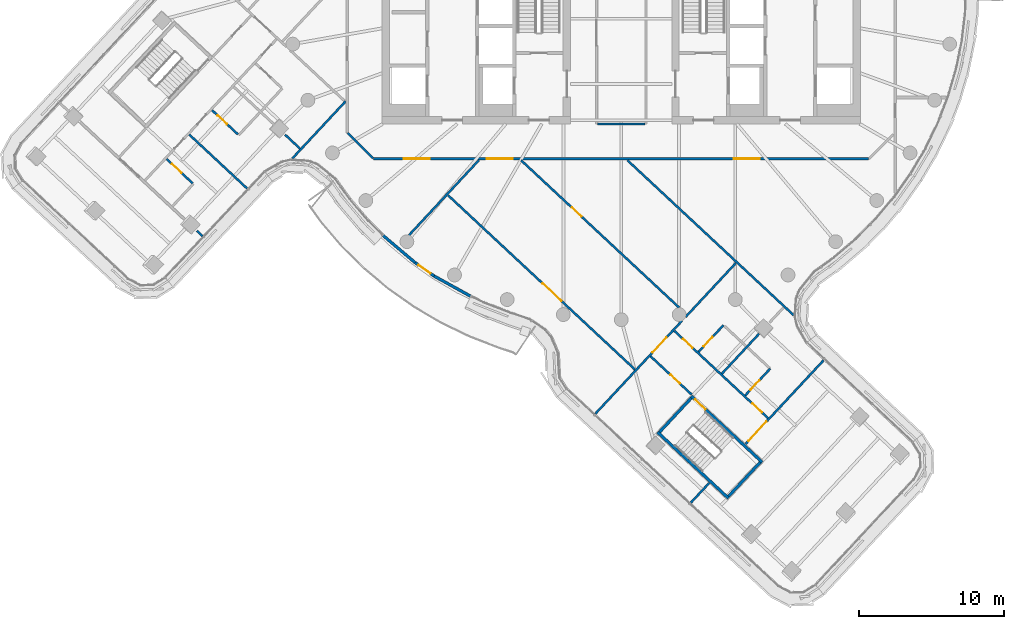
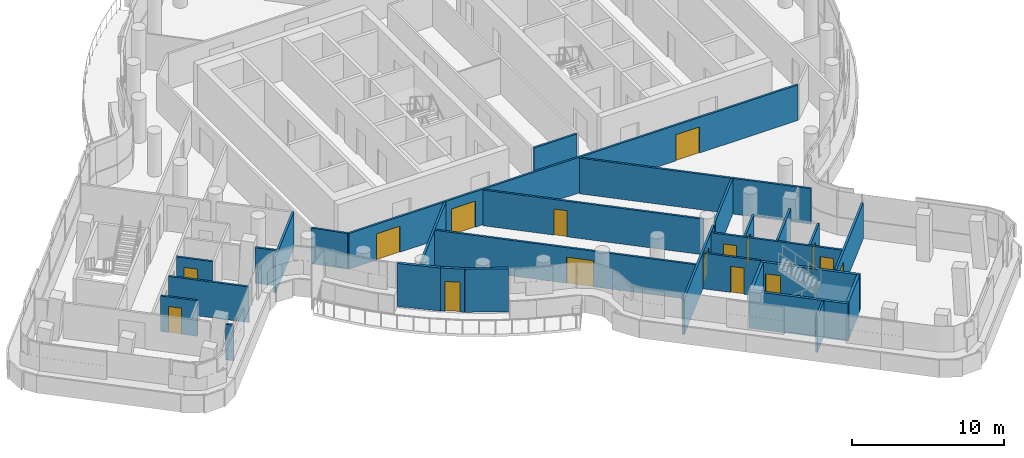
# One storey, part 17 of 30: 29 walls, 16 doors, 16 openings.
"""IFC4 building model written with IfcOpenShell, lengths in metres."""

from ifc_helpers import new_model, si_unit, direction, frame, frame_2d, origin, place, context, subcontext, project, spatial, polyline, rectangle, outline, extrude, material, layer, layer_set, type_object, element, fill, save


model = new_model("IFC4")

# Units and contexts
model_context = context("Model", 3, precision=1e-05, world=origin(), true_north=direction((0.0, 1.0)))
body_context = subcontext(model_context, "Body", "Model", "MODEL_VIEW")
ifc_project = project(units=[si_unit("LENGTHUNIT", "METRE"), si_unit("AREAUNIT", "SQUARE_METRE"), si_unit("VOLUMEUNIT", "CUBIC_METRE"), si_unit("PLANEANGLEUNIT", "RADIAN"), si_unit("MASSUNIT", "GRAM", prefix="KILO")], contexts=[model_context])

# Site, building, storey
site_placement = place(None, origin())
site = spatial("IfcSite", under=ifc_project, at=site_placement, CompositionType="ELEMENT")
building_placement = place(site_placement, origin())
building = spatial("IfcBuilding", under=site, at=building_placement, Name="Tamarind Cross Interchange Tower", CompositionType="ELEMENT")
storey_placement = place(building_placement, frame((0.0, 0.0, 204.10009765625)))
storey = spatial("IfcBuildingStorey", under=building, at=storey_placement, Name="L51", CompositionType="ELEMENT", Elevation=204.10009765625)

# Walls
ifc_material_1 = material(Name="Concrete C40", Category="concrete")
ifc_layer_1 = layer(ifc_material_1, 0.199951171875)
ifc_layer_set_1 = layer_set([ifc_layer_1], Name="Concrete C40")
wall_type_1 = type_object("IfcWallType", Name="Balcony and garden door wall", PredefinedType="SOLIDWALL", material=ifc_layer_set_1)
wall_1_placement = place(storey_placement, frame((-16.4169921875, -17.20361328125, 0.0), z_axis=(0.0, 0.0, 1.0), x_axis=(0.763350977543, -0.645983966585, 0.0)))
element("IfcWall", 1, at=wall_1_placement, inside=storey, type_object=wall_type_1, Name="EXW-L51-02-D02L", PredefinedType="SOLIDWALL", context=body_context, shape_type="SweptSolid", body=[
    extrude(rectangle(XDim=2.88525390625, YDim=0.199951171875, at=frame_2d((1.442626953125, 0.0))), origin(), (0.0, 0.0, 1.0), 3.4599609375),
])
wall_2_placement = place(storey_placement, frame((-12.9072265625, -19.98974609375, 0.0), z_axis=(0.0, 0.0, 1.0), x_axis=(0.874695370516, -0.484673094774, 0.0)))
element("IfcWall", 2, at=wall_2_placement, inside=storey, type_object=wall_type_1, Name="EXW-L51-02-D02R", PredefinedType="SOLIDWALL", context=body_context, shape_type="SweptSolid", body=[
    extrude(rectangle(XDim=2.88623046875, YDim=0.199951171875, at=frame_2d((1.443115234375, 0.0))), origin(), (0.0, 0.0, 1.0), 3.4599609375),
])

# Wall, opening, door
wall_3_placement = place(storey_placement, frame((-14.214599609375, -19.0673828125, 0.0), z_axis=(0.0, 0.0, 1.0), x_axis=(0.817111616449, -0.57647949336, 0.0)))
wall_3 = element("IfcWall", 3, at=wall_3_placement, inside=storey, type_object=wall_type_1, Name="EXW-L51-02-D02", PredefinedType="SOLIDWALL", context=body_context, shape_type="SweptSolid", body=[
    extrude(rectangle(XDim=1.60009765625, YDim=0.199951171875, at=frame_2d((0.800048828125, 0.0))), origin(), (0.0, 0.0, 1.0), 3.4599609375),
])
opening_1_placement = place(wall_3_placement, frame((0.300048828125, 0.0, 0.0)))
opening_1 = element("IfcOpeningElement", 4, at=opening_1_placement, cuts=wall_3, Name="Opening D2", PredefinedType="OPENING", context=body_context, shape_type="SweptSolid", body=[
    extrude(rectangle(XDim=1.0, YDim=2.39990234375, at=frame_2d((0.5, 1.199951171875))), frame((0.0, 0.10986328125, 0.0), z_axis=(0.0, -1.0, 0.0), x_axis=(1.0, 0.0, 0.0)), (0.0, 0.0, 1.0), 0.219970703125),
])
ifc_material_2 = material(Name="Aluminium and toughened glass", Category="aluminium")
door_type_1 = type_object("IfcDoorType", Name="Balcony and garden door", OperationType="SINGLE_SWING_LEFT", PredefinedType="DOOR", material=ifc_material_2)
door_1_placement = place(opening_1_placement, origin())
door_1 = element("IfcDoor", 5, at=door_1_placement, inside=storey, type_object=door_type_1, Name="DOR-L51-02-02", OperationType="SINGLE_SWING_LEFT", OverallHeight=2.39990234375, OverallWidth=1.0, PredefinedType="DOOR", context=body_context, shape_type="SweptSolid", body=[
    extrude(rectangle(XDim=1.0, YDim=2.39990234375, at=frame_2d((0.5, 1.199951171875))), frame((0.0, 0.02490234375, 0.0), z_axis=(0.0, -1.0, 0.0), x_axis=(1.0, 0.0, 0.0)), (0.0, 0.0, 1.0), 0.050048828125),
])
fill(opening_1, door_1)

# Walls
ifc_material_3 = material(Name="Gypsum board partition on steel studs", Category="steel")
ifc_layer_2 = layer(ifc_material_3, 0.14990234375)
ifc_layer_set_2 = layer_set([ifc_layer_2], Name="Gypsum board partition on steel studs")
wall_type_2 = type_object("IfcWallType", Name="Partition 150 mm EI 120", PredefinedType="PARTITIONING", material=ifc_layer_set_2)
wall_4_placement = place(storey_placement, frame((-18.87158203125, -10.12841796875, 0.0), z_axis=(0.0, 0.0, 1.0), x_axis=(0.707106781187, -0.707106781187, 0.0)))
element("IfcWall", 6, at=wall_4_placement, inside=storey, type_object=wall_type_2, Name="Partition L51-001", PredefinedType="PARTITIONING", context=body_context, shape_type="SweptSolid", body=[
    extrude(rectangle(XDim=2.465087890625, YDim=0.14990234375, at=frame_2d((1.232421875, 0.0))), origin(), (0.0, 0.0, 1.0), 2.864013671875),
])
wall_5_placement = place(storey_placement, frame((-29.26904296875, -16.874267578125, 0.0), z_axis=(0.0, 0.0, 1.0), x_axis=(0.731393195598, -0.681956005497, 0.0)))
element("IfcWall", 7, at=wall_5_placement, inside=storey, type_object=wall_type_2, Name="Partition L51-005", PredefinedType="PARTITIONING", context=body_context, shape_type="SweptSolid", body=[
    extrude(rectangle(XDim=0.5283203125, YDim=0.14990234375, at=frame_2d((0.26416015625, 0.0))), origin(), (0.0, 0.0, 1.0), 2.864013671875),
])

# Wall, opening, door
wall_6_placement = place(storey_placement, frame((-31.3583984375, -11.91845703125, 0.0), z_axis=(0.0, 0.0, 1.0), x_axis=(0.731477397341, -0.681865688519, 0.0)))
wall_6 = element("IfcWall", 8, at=wall_6_placement, inside=storey, type_object=wall_type_2, Name="Partition L51-006", PredefinedType="PARTITIONING", context=body_context, shape_type="SweptSolid", body=[
    extrude(rectangle(XDim=2.480224609375, YDim=0.14990234375, at=frame_2d((1.240234375, 0.0))), origin(), (0.0, 0.0, 1.0), 2.864013671875),
])
opening_2_placement = place(wall_6_placement, frame((0.52001953125, 0.0, 0.0)))
opening_2 = element("IfcOpeningElement", 9, at=opening_2_placement, cuts=wall_6, Name="Opening D02", PredefinedType="OPENING", context=body_context, shape_type="SweptSolid", body=[
    extrude(rectangle(XDim=0.89990234375, YDim=2.10009765625, at=frame_2d((0.449951171875, 1.050048828125))), frame((0.0, 0.0849609375, 0.0), z_axis=(0.0, -1.0, 0.0), x_axis=(1.0, 0.0, 0.0)), (0.0, 0.0, 1.0), 0.169921875),
])
ifc_material_4 = material(Name="Fire-resisting door set")
door_type_2 = type_object("IfcDoorType", Name="Interior door 900 x 2100 FD60S", OperationType="SINGLE_SWING_LEFT", PredefinedType="DOOR", material=ifc_material_4)
door_2_placement = place(opening_2_placement, frame((0.89990234375, 0.0, 0.0), z_axis=(0.0, 0.0, 1.0), x_axis=(-1.0, 0.0, 0.0)))
door_2 = element("IfcDoor", 10, at=door_2_placement, inside=storey, type_object=door_type_2, Name="Door D02", OperationType="SINGLE_SWING_LEFT", OverallHeight=2.10009765625, OverallWidth=0.89990234375, PredefinedType="DOOR", context=body_context, shape_type="SweptSolid", body=[
    extrude(rectangle(XDim=0.89990234375, YDim=2.10009765625, at=frame_2d((0.449951171875, 1.050048828125))), frame((0.0, 0.02490234375, 0.0), z_axis=(0.0, -1.0, 0.0), x_axis=(1.0, 0.0, 0.0)), (0.0, 0.0, 1.0), 0.050048828125),
])
fill(opening_2, door_2)

# Wall
wall_7_placement = place(storey_placement, frame((-29.79052734375, -10.236572265625, 0.0), z_axis=(0.0, 0.0, 1.0), x_axis=(0.73159679866, -0.681737577217, 0.0)))
element("IfcWall", 11, at=wall_7_placement, inside=storey, type_object=wall_type_2, Name="Partition L51-007", PredefinedType="PARTITIONING", context=body_context, shape_type="SweptSolid", body=[
    extrude(rectangle(XDim=5.454833984375, YDim=0.14990234375, at=frame_2d((2.7275390625, 0.0))), origin(), (0.0, 0.0, 1.0), 2.864013671875),
])

# Wall, opening, door
wall_8_placement = place(storey_placement, frame((-28.222412109375, -8.553466796875, 0.0), z_axis=(0.0, 0.0, 1.0), x_axis=(0.731434426101, -0.681911783382, 0.0)))
wall_8 = element("IfcWall", 12, at=wall_8_placement, inside=storey, type_object=wall_type_2, Name="Partition L51-010", PredefinedType="PARTITIONING", context=body_context, shape_type="SweptSolid", body=[
    extrude(rectangle(XDim=2.440185546875, YDim=0.14990234375, at=frame_2d((1.22021484375, 0.0))), origin(), (0.0, 0.0, 1.0), 2.864013671875),
])
opening_3_placement = place(wall_8_placement, frame((0.52001953125, 0.0, 0.0)))
opening_3 = element("IfcOpeningElement", 13, at=opening_3_placement, cuts=wall_8, Name="Opening D04", PredefinedType="OPENING", context=body_context, shape_type="SweptSolid", body=[
    extrude(rectangle(XDim=0.89990234375, YDim=2.10009765625, at=frame_2d((0.449951171875, 1.050048828125))), frame((0.0, 0.0849609375, 0.0), z_axis=(0.0, -1.0, 0.0), x_axis=(1.0, 0.0, 0.0)), (0.0, 0.0, 1.0), 0.169921875),
])
door_3_placement = place(opening_3_placement, origin())
door_3 = element("IfcDoor", 14, at=door_3_placement, inside=storey, type_object=door_type_2, Name="Door D04", OperationType="SINGLE_SWING_RIGHT", OverallHeight=2.10009765625, OverallWidth=0.89990234375, PredefinedType="DOOR", context=body_context, shape_type="SweptSolid", body=[
    extrude(rectangle(XDim=0.89990234375, YDim=2.10009765625, at=frame_2d((0.449951171875, 1.050048828125))), frame((0.0, 0.02490234375, 0.0), z_axis=(0.0, -1.0, 0.0), x_axis=(1.0, 0.0, 0.0)), (0.0, 0.0, 1.0), 0.050048828125),
])
fill(opening_3, door_3)

# Wall
wall_9_placement = place(storey_placement, frame((-23.193115234375, -10.234619140625, 0.0), z_axis=(0.0, 0.0, 1.0), x_axis=(0.731519928124, -0.681820060396, 0.0)))
element("IfcWall", 15, at=wall_9_placement, inside=storey, type_object=wall_type_2, Name="Partition L51-012", PredefinedType="PARTITIONING", context=body_context, shape_type="SweptSolid", body=[
    extrude(rectangle(XDim=1.414794921875, YDim=0.14990234375, at=frame_2d((0.70751953125, 0.0))), origin(), (0.0, 0.0, 1.0), 2.864013671875),
])

# Wall, opening, door
wall_10_placement = place(storey_placement, frame((-11.95556640625, -14.41162109375, 0.0), z_axis=(0.0, 0.0, 1.0), x_axis=(0.731533748832, -0.681805231954, 0.0)))
wall_10 = element("IfcWall", 16, at=wall_10_placement, inside=storey, type_object=wall_type_2, Name="Partition L51-015", PredefinedType="PARTITIONING", context=body_context, shape_type="SweptSolid", body=[
    extrude(rectangle(XDim=17.6396484375, YDim=0.14990234375, at=frame_2d((8.81982421875, 0.0))), origin(), (0.0, 0.0, 1.0), 2.864013671875),
])
opening_4_placement = place(wall_10_placement, frame((8.919921875, 0.0, 0.0)))
opening_4 = element("IfcOpeningElement", 17, at=opening_4_placement, cuts=wall_10, Name="Opening D06", PredefinedType="OPENING", context=body_context, shape_type="SweptSolid", body=[
    extrude(rectangle(XDim=1.800048828125, YDim=2.10009765625, at=frame_2d((0.89990234375, 1.050048828125))), frame((0.0, 0.0849609375, 0.0), z_axis=(0.0, -1.0, 0.0), x_axis=(1.0, 0.0, 0.0)), (0.0, 0.0, 1.0), 0.169921875),
])
door_type_3 = type_object("IfcDoorType", Name="Interior door 1800 x 2100 FD60S", OperationType="DOUBLE_DOOR_SINGLE_SWING", PredefinedType="DOOR", material=ifc_material_4)
door_4_placement = place(opening_4_placement, frame((1.800048828125, 0.0, 0.0), z_axis=(0.0, 0.0, 1.0), x_axis=(-1.0, 0.0, 0.0)))
door_4 = element("IfcDoor", 18, at=door_4_placement, inside=storey, type_object=door_type_3, Name="Door D06", OperationType="DOUBLE_DOOR_SINGLE_SWING", OverallHeight=2.10009765625, OverallWidth=1.800048828125, PredefinedType="DOOR", context=body_context, shape_type="SweptSolid", body=[
    extrude(rectangle(XDim=1.800048828125, YDim=2.10009765625, at=frame_2d((0.89990234375, 1.050048828125))), frame((0.0, 0.02490234375, 0.0), z_axis=(0.0, -1.0, 0.0), x_axis=(1.0, 0.0, 0.0)), (0.0, 0.0, 1.0), 0.050048828125),
])
fill(opening_4, door_4)

wall_11_placement = place(storey_placement, frame((-6.9033203125, -12.012451171875, 0.0), z_axis=(0.0, 0.0, 1.0), x_axis=(0.731569122532, -0.681767276245, 0.0)))
wall_11 = element("IfcWall", 19, at=wall_11_placement, inside=storey, type_object=wall_type_2, Name="Partition L51-021", PredefinedType="PARTITIONING", context=body_context, shape_type="SweptSolid", body=[
    extrude(rectangle(XDim=14.89306640625, YDim=0.14990234375, at=frame_2d((7.446533203125, 0.0))), origin(), (0.0, 0.0, 1.0), 2.864013671875),
])
opening_5_placement = place(wall_11_placement, frame((4.784912109375, 0.0, 0.0)))
opening_5 = element("IfcOpeningElement", 20, at=opening_5_placement, cuts=wall_11, Name="Opening D11", PredefinedType="OPENING", context=body_context, shape_type="SweptSolid", body=[
    extrude(rectangle(XDim=0.89990234375, YDim=2.10009765625, at=frame_2d((0.449951171875, 1.050048828125))), frame((0.0, 0.0849609375, 0.0), z_axis=(0.0, -1.0, 0.0), x_axis=(1.0, 0.0, 0.0)), (0.0, 0.0, 1.0), 0.169921875),
])
door_5_placement = place(opening_5_placement, origin())
door_5 = element("IfcDoor", 21, at=door_5_placement, inside=storey, type_object=door_type_2, Name="Door D11", OperationType="SINGLE_SWING_RIGHT", OverallHeight=2.10009765625, OverallWidth=0.89990234375, PredefinedType="DOOR", context=body_context, shape_type="SweptSolid", body=[
    extrude(rectangle(XDim=0.89990234375, YDim=2.10009765625, at=frame_2d((0.449951171875, 1.050048828125))), frame((0.0, 0.02490234375, 0.0), z_axis=(0.0, -1.0, 0.0), x_axis=(1.0, 0.0, 0.0)), (0.0, 0.0, 1.0), 0.050048828125),
])
fill(opening_5, door_5)

# Wall
wall_12_placement = place(storey_placement, frame((0.4306640625, -12.012451171875, 0.0), z_axis=(0.0, 0.0, 1.0), x_axis=(0.731576312629, -0.681759560843, 0.0)))
element("IfcWall", 22, at=wall_12_placement, inside=storey, type_object=wall_type_2, Name="Partition L51-026", PredefinedType="PARTITIONING", context=body_context, shape_type="SweptSolid", body=[
    extrude(rectangle(XDim=15.653076171875, YDim=0.14990234375, at=frame_2d((7.82666015625, 0.0))), origin(), (0.0, 0.0, 1.0), 2.864013671875),
])

# Wall, opening, door
wall_13_placement = place(storey_placement, frame((2.0205078125, -25.5234375, 0.0), z_axis=(0.0, 0.0, 1.0), x_axis=(0.731553041103, -0.681784531985, 0.0)))
wall_13 = element("IfcWall", 23, at=wall_13_placement, inside=storey, type_object=wall_type_2, Name="Partition L51-028", PredefinedType="PARTITIONING", context=body_context, shape_type="SweptSolid", body=[
    extrude(rectangle(XDim=3.88037109375, YDim=0.14990234375, at=frame_2d((1.940185546875, 0.0))), origin(), (0.0, 0.0, 1.0), 2.864013671875),
])
opening_6_placement = place(wall_13_placement, frame((1.8701171875, 0.0, 0.0)))
opening_6 = element("IfcOpeningElement", 24, at=opening_6_placement, cuts=wall_13, Name="Opening D15", PredefinedType="OPENING", context=body_context, shape_type="SweptSolid", body=[
    extrude(rectangle(XDim=0.89990234375, YDim=2.10009765625, at=frame_2d((0.449951171875, 1.050048828125))), frame((0.0, 0.0849609375, 0.0), z_axis=(0.0, -1.0, 0.0), x_axis=(1.0, 0.0, 0.0)), (0.0, 0.0, 1.0), 0.169921875),
])
door_6_placement = place(opening_6_placement, frame((0.89990234375, 0.0, 0.0), z_axis=(0.0, 0.0, 1.0), x_axis=(-1.0, 0.0, 0.0)))
door_6 = element("IfcDoor", 25, at=door_6_placement, inside=storey, type_object=door_type_2, Name="Door D15", OperationType="SINGLE_SWING_RIGHT", OverallHeight=2.10009765625, OverallWidth=0.89990234375, PredefinedType="DOOR", context=body_context, shape_type="SweptSolid", body=[
    extrude(rectangle(XDim=0.89990234375, YDim=2.10009765625, at=frame_2d((0.449951171875, 1.050048828125))), frame((0.0, 0.02490234375, 0.0), z_axis=(0.0, -1.0, 0.0), x_axis=(1.0, 0.0, 0.0)), (0.0, 0.0, 1.0), 0.050048828125),
])
fill(opening_6, door_6)

# Wall, openings, doors
wall_14_placement = place(storey_placement, frame((3.656494140625, -23.767578125, 0.0), z_axis=(0.0, 0.0, 1.0), x_axis=(0.731565696078, -0.681770952976, 0.0)))
wall_14 = element("IfcWall", 26, at=wall_14_placement, inside=storey, type_object=wall_type_2, Name="Partition L51-029", PredefinedType="PARTITIONING", context=body_context, shape_type="SweptSolid", body=[
    extrude(rectangle(XDim=8.840087890625, YDim=0.14990234375, at=frame_2d((4.419921875, 0.0))), origin(), (0.0, 0.0, 1.0), 2.864013671875),
])
opening_7_placement = place(wall_14_placement, frame((0.820068359375, 0.0, 0.0)))
opening_7 = element("IfcOpeningElement", 27, at=opening_7_placement, cuts=wall_14, Name="Opening D16", PredefinedType="OPENING", context=body_context, shape_type="SweptSolid", body=[
    extrude(rectangle(XDim=0.89990234375, YDim=2.10009765625, at=frame_2d((0.449951171875, 1.050048828125))), frame((0.0, 0.0849609375, 0.0), z_axis=(0.0, -1.0, 0.0), x_axis=(1.0, 0.0, 0.0)), (0.0, 0.0, 1.0), 0.169921875),
])
opening_8_placement = place(wall_14_placement, frame((7.36962890625, 0.0, 0.0)))
opening_8 = element("IfcOpeningElement", 28, at=opening_8_placement, cuts=wall_14, Name="Opening D17", PredefinedType="OPENING", context=body_context, shape_type="SweptSolid", body=[
    extrude(rectangle(XDim=0.89990234375, YDim=2.10009765625, at=frame_2d((0.449951171875, 1.050048828125))), frame((0.0, 0.0849609375, 0.0), z_axis=(0.0, -1.0, 0.0), x_axis=(1.0, 0.0, 0.0)), (0.0, 0.0, 1.0), 0.169921875),
])
door_7_placement = place(opening_7_placement, origin())
door_7 = element("IfcDoor", 29, at=door_7_placement, inside=storey, type_object=door_type_2, Name="Door D16", OperationType="SINGLE_SWING_RIGHT", OverallHeight=2.10009765625, OverallWidth=0.89990234375, PredefinedType="DOOR", context=body_context, shape_type="SweptSolid", body=[
    extrude(rectangle(XDim=0.89990234375, YDim=2.10009765625, at=frame_2d((0.449951171875, 1.050048828125))), frame((0.0, 0.02490234375, 0.0), z_axis=(0.0, -1.0, 0.0), x_axis=(1.0, 0.0, 0.0)), (0.0, 0.0, 1.0), 0.050048828125),
])
fill(opening_7, door_7)
door_8_placement = place(opening_8_placement, origin())
door_8 = element("IfcDoor", 30, at=door_8_placement, inside=storey, type_object=door_type_2, Name="Door D17", OperationType="SINGLE_SWING_LEFT", OverallHeight=2.10009765625, OverallWidth=0.89990234375, PredefinedType="DOOR", context=body_context, shape_type="SweptSolid", body=[
    extrude(rectangle(XDim=0.89990234375, YDim=2.10009765625, at=frame_2d((0.449951171875, 1.050048828125))), frame((0.0, 0.02490234375, 0.0), z_axis=(0.0, -1.0, 0.0), x_axis=(1.0, 0.0, 0.0)), (0.0, 0.0, 1.0), 0.050048828125),
])
fill(opening_8, door_8)

wall_15_placement = place(storey_placement, frame((-17.10009765625, -11.89990234375, 0.0), z_axis=(0.0, 0.0, 1.0), x_axis=(1.0, 0.0, 0.0)))
wall_15 = element("IfcWall", 31, at=wall_15_placement, inside=storey, type_object=wall_type_2, Name="Partition L51-031", PredefinedType="PARTITIONING", context=body_context, shape_type="SweptSolid", body=[
    extrude(rectangle(XDim=34.1650390625, YDim=0.14990234375, at=frame_2d((17.08251953125, 0.0))), origin(), (0.0, 0.0, 1.0), 2.864013671875),
])
opening_9_placement = place(wall_15_placement, frame((7.825927734375, 0.0, 0.0)))
opening_9 = element("IfcOpeningElement", 32, at=opening_9_placement, cuts=wall_15, Name="Opening D18", PredefinedType="OPENING", context=body_context, shape_type="SweptSolid", body=[
    extrude(rectangle(XDim=1.800048828125, YDim=2.10009765625, at=frame_2d((0.89990234375, 1.050048828125))), frame((0.0, 0.0849609375, 0.0), z_axis=(0.0, -1.0, 0.0), x_axis=(1.0, 0.0, 0.0)), (0.0, 0.0, 1.0), 0.169921875),
])
opening_10_placement = place(wall_15_placement, frame((2.10009765625, 0.0, 0.0)))
opening_10 = element("IfcOpeningElement", 33, at=opening_10_placement, cuts=wall_15, Name="Opening D19", PredefinedType="OPENING", context=body_context, shape_type="SweptSolid", body=[
    extrude(rectangle(XDim=1.800048828125, YDim=2.10009765625, at=frame_2d((0.89990234375, 1.050048828125))), frame((0.0, 0.0849609375, 0.0), z_axis=(0.0, -1.0, 0.0), x_axis=(1.0, 0.0, 0.0)), (0.0, 0.0, 1.0), 0.169921875),
])
opening_11_placement = place(wall_15_placement, frame((24.868896484375, 0.0, 0.0)))
opening_11 = element("IfcOpeningElement", 34, at=opening_11_placement, cuts=wall_15, Name="Opening D20", PredefinedType="OPENING", context=body_context, shape_type="SweptSolid", body=[
    extrude(rectangle(XDim=1.800048828125, YDim=2.10009765625, at=frame_2d((0.89990234375, 1.050048828125))), frame((0.0, 0.0849609375, 0.0), z_axis=(0.0, -1.0, 0.0), x_axis=(1.0, 0.0, 0.0)), (0.0, 0.0, 1.0), 0.169921875),
])
door_9_placement = place(opening_9_placement, origin())
door_9 = element("IfcDoor", 35, at=door_9_placement, inside=storey, type_object=door_type_3, Name="Door D18", OperationType="DOUBLE_DOOR_SINGLE_SWING", OverallHeight=2.10009765625, OverallWidth=1.800048828125, PredefinedType="DOOR", context=body_context, shape_type="SweptSolid", body=[
    extrude(rectangle(XDim=1.800048828125, YDim=2.10009765625, at=frame_2d((0.89990234375, 1.050048828125))), frame((0.0, 0.02490234375, 0.0), z_axis=(0.0, -1.0, 0.0), x_axis=(1.0, 0.0, 0.0)), (0.0, 0.0, 1.0), 0.050048828125),
])
fill(opening_9, door_9)
door_10_placement = place(opening_10_placement, frame((1.800048828125, 0.0, 0.0), z_axis=(0.0, 0.0, 1.0), x_axis=(-1.0, 0.0, 0.0)))
door_10 = element("IfcDoor", 36, at=door_10_placement, inside=storey, type_object=door_type_3, Name="Door D19", OperationType="DOUBLE_DOOR_SINGLE_SWING", OverallHeight=2.10009765625, OverallWidth=1.800048828125, PredefinedType="DOOR", context=body_context, shape_type="SweptSolid", body=[
    extrude(rectangle(XDim=1.800048828125, YDim=2.10009765625, at=frame_2d((0.89990234375, 1.050048828125))), frame((0.0, 0.02490234375, 0.0), z_axis=(0.0, -1.0, 0.0), x_axis=(1.0, 0.0, 0.0)), (0.0, 0.0, 1.0), 0.050048828125),
])
fill(opening_10, door_10)
door_11_placement = place(opening_11_placement, origin())
door_11 = element("IfcDoor", 37, at=door_11_placement, inside=storey, type_object=door_type_3, Name="Door D20", OperationType="DOUBLE_DOOR_SINGLE_SWING", OverallHeight=2.10009765625, OverallWidth=1.800048828125, PredefinedType="DOOR", context=body_context, shape_type="SweptSolid", body=[
    extrude(rectangle(XDim=1.800048828125, YDim=2.10009765625, at=frame_2d((0.89990234375, 1.050048828125))), frame((0.0, 0.02490234375, 0.0), z_axis=(0.0, -1.0, 0.0), x_axis=(1.0, 0.0, 0.0)), (0.0, 0.0, 1.0), 0.050048828125),
])
fill(opening_11, door_11)

# Walls
wall_16_placement = place(storey_placement, frame((-1.639892578125, -9.5, 0.0), z_axis=(0.0, 0.0, 1.0), x_axis=(1.0, 0.0, 0.0)))
element("IfcWall", 38, at=wall_16_placement, inside=storey, type_object=wall_type_2, Name="Partition L51-033", PredefinedType="PARTITIONING", context=body_context, shape_type="SweptSolid", body=[
    extrude(rectangle(XDim=3.27978515625, YDim=0.14990234375, at=frame_2d((1.639892578125, 0.0))), origin(), (0.0, 0.0, 1.0), 2.864013671875),
])
wall_17_placement = place(storey_placement, frame((-22.68505859375, -11.882080078125, 0.0), z_axis=(0.0, 0.0, 1.0), x_axis=(0.681809400984, 0.731529863184, 0.0)))
element("IfcWall", 39, at=wall_17_placement, inside=storey, type_object=wall_type_2, Name="Partition L51-051", PredefinedType="PARTITIONING", context=body_context, shape_type="SweptSolid", body=[
    extrude(rectangle(XDim=5.386474609375, YDim=0.14990234375, at=frame_2d((2.693359375, 0.0))), origin(), (0.0, 0.0, 1.0), 2.864013671875),
])
wall_18_placement = place(storey_placement, frame((-14.638916015625, -17.1728515625, 0.0), z_axis=(0.0, 0.0, 1.0), x_axis=(0.681889565458, 0.731455139103, 0.0)))
element("IfcWall", 40, at=wall_18_placement, inside=storey, type_object=wall_type_2, Name="Partition L51-052", PredefinedType="PARTITIONING", context=body_context, shape_type="SweptSolid", body=[
    extrude(rectangle(XDim=7.063232421875, YDim=0.14990234375, at=frame_2d((3.53173828125, 0.0))), origin(), (0.0, 0.0, 1.0), 2.864013671875),
])

# Wall, opening, door
wall_19_placement = place(storey_placement, frame((-1.78759765625, -29.491455078125, 0.0), z_axis=(0.0, 0.0, 1.0), x_axis=(0.681864267576, 0.731478721907, 0.0)))
wall_19 = element("IfcWall", 41, at=wall_19_placement, inside=storey, type_object=wall_type_2, Name="Partition L51-064", PredefinedType="PARTITIONING", context=body_context, shape_type="SweptSolid", body=[
    extrude(rectangle(XDim=8.759033203125, YDim=0.14990234375, at=frame_2d((4.37939453125, 0.0))), origin(), (0.0, 0.0, 1.0), 2.864013671875),
])
opening_12_placement = place(wall_19_placement, frame((5.799072265625, 0.0, 0.0)))
opening_12 = element("IfcOpeningElement", 42, at=opening_12_placement, cuts=wall_19, Name="Opening D35", PredefinedType="OPENING", context=body_context, shape_type="SweptSolid", body=[
    extrude(rectangle(XDim=1.39990234375, YDim=2.10009765625, at=frame_2d((0.699951171875, 1.050048828125))), frame((0.0, 0.0849609375, 0.0), z_axis=(0.0, -1.0, 0.0), x_axis=(1.0, 0.0, 0.0)), (0.0, 0.0, 1.0), 0.169921875),
])
door_type_4 = type_object("IfcDoorType", Name="Interior door 1400 x 2100 FD60S", OperationType="DOUBLE_DOOR_SINGLE_SWING", PredefinedType="DOOR", material=ifc_material_4)
door_12_placement = place(opening_12_placement, origin())
door_12 = element("IfcDoor", 43, at=door_12_placement, inside=storey, type_object=door_type_4, Name="Door D35", OperationType="DOUBLE_DOOR_SINGLE_SWING", OverallHeight=2.10009765625, OverallWidth=1.39990234375, PredefinedType="DOOR", context=body_context, shape_type="SweptSolid", body=[
    extrude(rectangle(XDim=1.39990234375, YDim=2.10009765625, at=frame_2d((0.699951171875, 1.050048828125))), frame((0.0, 0.02490234375, 0.0), z_axis=(0.0, -1.0, 0.0), x_axis=(1.0, 0.0, 0.0)), (0.0, 0.0, 1.0), 0.050048828125),
])
fill(opening_12, door_12)

# Walls
wall_20_placement = place(storey_placement, frame((4.434326171875, -22.816650390625, 0.0), z_axis=(0.0, 0.0, 1.0), x_axis=(0.681872489445, 0.731471057621, 0.0)))
element("IfcWall", 44, at=wall_20_placement, inside=storey, type_object=wall_type_2, Name="Partition L51-065", PredefinedType="PARTITIONING", context=body_context, shape_type="SweptSolid", body=[
    extrude(rectangle(XDim=5.0947265625, YDim=0.14990234375, at=frame_2d((2.54736328125, 0.0))), origin(), (0.0, 0.0, 1.0), 2.864013671875),
])
wall_21_placement = place(storey_placement, frame((4.79638671875, -35.627685546875, 0.0), z_axis=(0.0, 0.0, 1.0), x_axis=(0.681915704673, 0.731430770286, 0.0)))
element("IfcWall", 45, at=wall_21_placement, inside=storey, type_object=wall_type_2, Name="Partition L51-066", PredefinedType="PARTITIONING", context=body_context, shape_type="SweptSolid", body=[
    extrude(rectangle(XDim=1.85888671875, YDim=0.14990234375, at=frame_2d((0.929443359375, 0.0))), origin(), (0.0, 0.0, 1.0), 2.864013671875),
])

# Wall, opening, door
wall_22_placement = place(storey_placement, frame((8.573486328125, -31.576171875, 0.0), z_axis=(0.0, 0.0, 1.0), x_axis=(0.681919305115, 0.731427413563, 0.0)))
wall_22 = element("IfcWall", 46, at=wall_22_placement, inside=storey, type_object=wall_type_2, Name="Partition L51-067", PredefinedType="PARTITIONING", context=body_context, shape_type="SweptSolid", body=[
    extrude(rectangle(XDim=7.89501953125, YDim=0.14990234375, at=frame_2d((3.947509765625, 0.0))), origin(), (0.0, 0.0, 1.0), 2.864013671875),
])
opening_13_placement = place(wall_22_placement, frame((0.300048828125, 0.0, 0.0)))
opening_13 = element("IfcOpeningElement", 47, at=opening_13_placement, cuts=wall_22, Name="Opening D36", PredefinedType="OPENING", context=body_context, shape_type="SweptSolid", body=[
    extrude(rectangle(XDim=1.800048828125, YDim=2.10009765625, at=frame_2d((0.89990234375, 1.050048828125))), frame((0.0, 0.0849609375, 0.0), z_axis=(0.0, -1.0, 0.0), x_axis=(1.0, 0.0, 0.0)), (0.0, 0.0, 1.0), 0.169921875),
])
door_13_placement = place(opening_13_placement, frame((1.800048828125, 0.0, 0.0), z_axis=(0.0, 0.0, 1.0), x_axis=(-1.0, 0.0, 0.0)))
door_13 = element("IfcDoor", 48, at=door_13_placement, inside=storey, type_object=door_type_3, Name="Door D36", OperationType="DOUBLE_DOOR_SINGLE_SWING", OverallHeight=2.10009765625, OverallWidth=1.800048828125, PredefinedType="DOOR", context=body_context, shape_type="SweptSolid", body=[
    extrude(rectangle(XDim=1.800048828125, YDim=2.10009765625, at=frame_2d((0.89990234375, 1.050048828125))), frame((0.0, 0.02490234375, 0.0), z_axis=(0.0, -1.0, 0.0), x_axis=(1.0, 0.0, 0.0)), (0.0, 0.0, 1.0), 0.050048828125),
])
fill(opening_13, door_13)

wall_23_placement = place(storey_placement, frame((5.33544921875, -25.222412109375, 0.0), z_axis=(0.0, 0.0, 1.0), x_axis=(0.68166548211, 0.731663973761, 0.0)))
wall_23 = element("IfcWall", 49, at=wall_23_placement, inside=storey, type_object=wall_type_2, Name="Partition L51-068", PredefinedType="PARTITIONING", context=body_context, shape_type="SweptSolid", body=[
    extrude(rectangle(XDim=2.51953125, YDim=0.14990234375, at=frame_2d((1.259765625, 0.0))), origin(), (0.0, 0.0, 1.0), 2.864013671875),
])
opening_14_placement = place(wall_23_placement, frame((0.52001953125, 0.0, 0.0)))
opening_14 = element("IfcOpeningElement", 50, at=opening_14_placement, cuts=wall_23, Name="Opening D37", PredefinedType="OPENING", context=body_context, shape_type="SweptSolid", body=[
    extrude(rectangle(XDim=0.89990234375, YDim=2.10009765625, at=frame_2d((0.449951171875, 1.050048828125))), frame((0.0, 0.0849609375, 0.0), z_axis=(0.0, -1.0, 0.0), x_axis=(1.0, 0.0, 0.0)), (0.0, 0.0, 1.0), 0.169921875),
])
door_14_placement = place(opening_14_placement, frame((0.89990234375, 0.0, 0.0), z_axis=(0.0, 0.0, 1.0), x_axis=(-1.0, 0.0, 0.0)))
door_14 = element("IfcDoor", 51, at=door_14_placement, inside=storey, type_object=door_type_2, Name="Door D37", OperationType="SINGLE_SWING_LEFT", OverallHeight=2.10009765625, OverallWidth=0.89990234375, PredefinedType="DOOR", context=body_context, shape_type="SweptSolid", body=[
    extrude(rectangle(XDim=0.89990234375, YDim=2.10009765625, at=frame_2d((0.449951171875, 1.050048828125))), frame((0.0, 0.02490234375, 0.0), z_axis=(0.0, -1.0, 0.0), x_axis=(1.0, 0.0, 0.0)), (0.0, 0.0, 1.0), 0.050048828125),
])
fill(opening_14, door_14)

# Wall
wall_24_placement = place(storey_placement, frame((6.944580078125, -26.722412109375, 0.0), z_axis=(0.0, 0.0, 1.0), x_axis=(0.681846383766, 0.731495392293, 0.0)))
element("IfcWall", 52, at=wall_24_placement, inside=storey, type_object=wall_type_2, Name="Partition L51-069", PredefinedType="PARTITIONING", context=body_context, shape_type="SweptSolid", body=[
    extrude(rectangle(XDim=3.76171875, YDim=0.14990234375, at=frame_2d((1.880859375, 0.0))), origin(), (0.0, 0.0, 1.0), 2.864013671875),
])

# Wall, opening, door
wall_25_placement = place(storey_placement, frame((8.553466796875, -28.222412109375, 0.0), z_axis=(0.0, 0.0, 1.0), x_axis=(0.681872886732, 0.731470687273, 0.0)))
wall_25 = element("IfcWall", 53, at=wall_25_placement, inside=storey, type_object=wall_type_2, Name="Partition L51-071", PredefinedType="PARTITIONING", context=body_context, shape_type="SweptSolid", body=[
    extrude(rectangle(XDim=2.520263671875, YDim=0.14990234375, at=frame_2d((1.26025390625, 0.0))), origin(), (0.0, 0.0, 1.0), 2.864013671875),
])
opening_15_placement = place(wall_25_placement, frame((0.52001953125, 0.0, 0.0)))
opening_15 = element("IfcOpeningElement", 54, at=opening_15_placement, cuts=wall_25, Name="Opening D38", PredefinedType="OPENING", context=body_context, shape_type="SweptSolid", body=[
    extrude(rectangle(XDim=0.89990234375, YDim=2.10009765625, at=frame_2d((0.449951171875, 1.050048828125))), frame((0.0, 0.0849609375, 0.0), z_axis=(0.0, -1.0, 0.0), x_axis=(1.0, 0.0, 0.0)), (0.0, 0.0, 1.0), 0.169921875),
])
door_15_placement = place(opening_15_placement, origin())
door_15 = element("IfcDoor", 55, at=door_15_placement, inside=storey, type_object=door_type_2, Name="Door D38", OperationType="SINGLE_SWING_RIGHT", OverallHeight=2.10009765625, OverallWidth=0.89990234375, PredefinedType="DOOR", context=body_context, shape_type="SweptSolid", body=[
    extrude(rectangle(XDim=0.89990234375, YDim=2.10009765625, at=frame_2d((0.449951171875, 1.050048828125))), frame((0.0, 0.02490234375, 0.0), z_axis=(0.0, -1.0, 0.0), x_axis=(1.0, 0.0, 0.0)), (0.0, 0.0, 1.0), 0.050048828125),
])
fill(opening_15, door_15)

ifc_layer_3 = layer(ifc_material_1, 0.199951171875)
ifc_layer_set_3 = layer_set([ifc_layer_3], Name="Concrete C40")
wall_type_3 = type_object("IfcWallType", Name="Stair shaft wall 200 mm Concrete C40", PredefinedType="SHEAR", material=ifc_layer_set_3)
wall_26_placement = place(storey_placement, frame((4.819580078125, -28.26904296875, -0.14013671875), z_axis=(0.0, 0.0, 1.0), x_axis=(0.731573676708, -0.681762389361, 0.0)))
wall_26 = element("IfcWall", 56, at=wall_26_placement, inside=storey, type_object=wall_type_3, Name="Core wall CWL-L51-ST6-H", PredefinedType="SHEAR", context=body_context, shape_type="SweptSolid", body=[
    extrude(rectangle(XDim=6.7001953125, YDim=0.199951171875, at=frame_2d((3.35009765625, 0.0))), origin(), (0.0, 0.0, 1.0), 3.004150390625),
])
opening_16_placement = place(wall_26_placement, frame((0.35009765625, 0.0, 0.0)))
opening_16 = element("IfcOpeningElement", 57, at=opening_16_placement, cuts=wall_26, Name="Opening ST6L51", PredefinedType="OPENING", context=body_context, shape_type="SweptSolid", body=[
    extrude(rectangle(XDim=1.0, YDim=2.10009765625, at=frame_2d((0.5, 1.050048828125))), frame((0.0, 0.10986328125, 0.0), z_axis=(0.0, -1.0, 0.0), x_axis=(1.0, 0.0, 0.0)), (0.0, 0.0, 1.0), 0.219970703125),
])
ifc_material_5 = material(Name="Steel, fire-resisting", Category="steel")
door_type_5 = type_object("IfcDoorType", Name="Core fire door 1000 x 2100 FD90", OperationType="SINGLE_SWING_LEFT", PredefinedType="DOOR", material=ifc_material_5)
door_16_placement = place(opening_16_placement, origin())
door_16 = element("IfcDoor", 58, at=door_16_placement, inside=storey, type_object=door_type_5, Name="L51 stair door ST6", OperationType="SINGLE_SWING_LEFT", OverallHeight=2.10009765625, OverallWidth=1.0, PredefinedType="DOOR", context=body_context, shape_type="SweptSolid", body=[
    extrude(rectangle(XDim=1.0, YDim=2.10009765625, at=frame_2d((0.5, 1.050048828125))), frame((0.0, 0.02490234375, 0.0), z_axis=(0.0, -1.0, 0.0), x_axis=(1.0, 0.0, 0.0)), (0.0, 0.0, 1.0), 0.050048828125),
])
fill(opening_16, door_16)

# Walls
wall_27_placement = place(storey_placement, frame((2.501708984375, -30.75634765625, -0.14013671875), z_axis=(0.0, 0.0, 1.0), x_axis=(0.731556739466, -0.681780563629, 0.0)))
element("IfcWall", 59, at=wall_27_placement, inside=storey, type_object=wall_type_3, Name="Core wall CWL-L51-ST6-C", PredefinedType="SHEAR", context=body_context, shape_type="SweptSolid", body=[
    extrude(rectangle(XDim=6.699951171875, YDim=0.199951171875, at=frame_2d((3.35009765625, 0.0))), origin(), (0.0, 0.0, 1.0), 3.004150390625),
])
wall_28_placement = place(storey_placement, frame((2.642822265625, -30.751220703125, -0.14013671875), z_axis=(0.0, 0.0, 1.0), x_axis=(0.681836962864, 0.731504173653, 0.0)))
element("IfcWall", 60, at=wall_28_placement, inside=storey, type_object=wall_type_3, Name="Core wall CWL-L51-ST6-CE", PredefinedType="SHEAR", context=body_context, shape_type="SweptSolid", body=[
    extrude(rectangle(XDim=3.199951171875, YDim=0.199951171875, at=frame_2d((1.60009765625, 0.0))), origin(), (0.0, 0.0, 1.0), 3.004150390625),
])
wall_29_placement = place(storey_placement, frame((0.0, 0.0, -0.14013671875)))
element("IfcWall", 61, at=wall_29_placement, inside=storey, type_object=wall_type_3, Name="Core wall CWL-L51-ST6-CF", PredefinedType="SHEAR", context=body_context, shape_type="SweptSolid", body=[
    extrude(outline(polyline([(7.32470703125, -35.11474609375), (7.47119140625, -35.251220703125), (9.65283203125, -32.91015625), (9.506591796875, -32.773681640625), (7.32470703125, -35.11474609375)])), origin(), (0.0, 0.0, 1.0), 3.004150390625),
])

save(model, "model.ifc")
